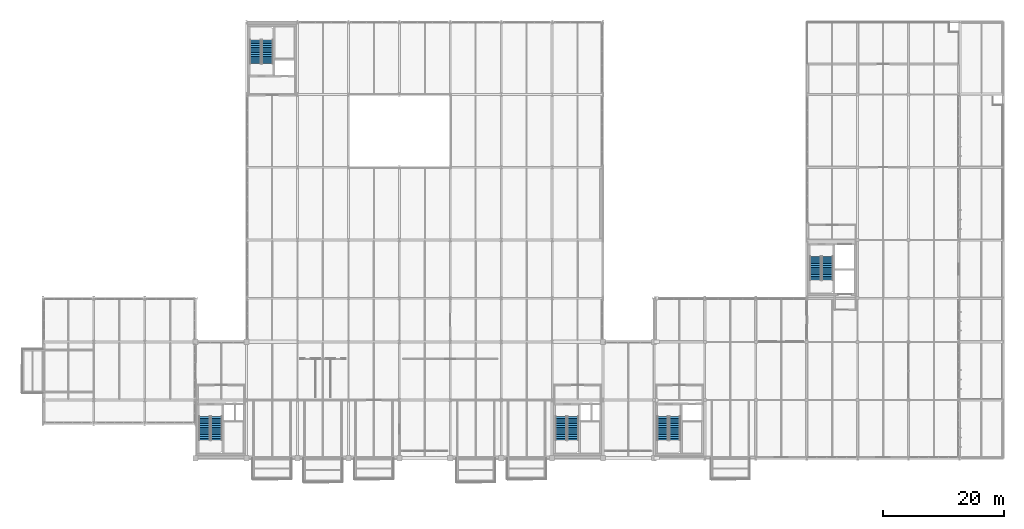
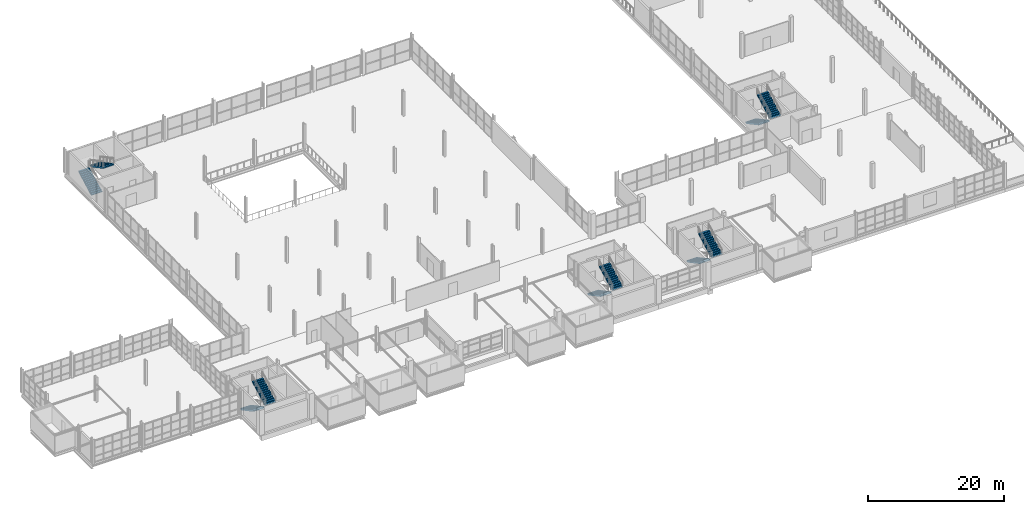
# One storey, part 101 of 109: 10 stair flights, 5 elements without a shape of their own.
"""IFC4 building model written with IfcOpenShell, lengths in metres."""

from ifc_helpers import new_model, si_unit, direction, frame, origin, place, context, subcontext, project, spatial, polyline, outline, extrude, material, type_object, element, aggregate, save


model = new_model("IFC4")

# Units and contexts
model_context = context("Model", 3, precision=1e-05, world=origin(), true_north=direction((0.0, 1.0)))
body_context = subcontext(model_context, "Body", "Model", "MODEL_VIEW")
ifc_project = project(units=[si_unit("LENGTHUNIT", "METRE"), si_unit("AREAUNIT", "SQUARE_METRE"), si_unit("VOLUMEUNIT", "CUBIC_METRE"), si_unit("PLANEANGLEUNIT", "RADIAN"), si_unit("MASSUNIT", "GRAM", prefix="KILO")], contexts=[model_context])

# Site, building, storey
site_placement = place(None, origin())
site = spatial("IfcSite", under=ifc_project, at=site_placement, CompositionType="ELEMENT")
building_placement = place(site_placement, origin())
building = spatial("IfcBuilding", under=site, at=building_placement, Name="Veltarok Museum of Natural Sciences", CompositionType="ELEMENT")
storey_placement = place(building_placement, frame((0.0, 0.0, 17.39990234375)))
storey = spatial("IfcBuildingStorey", under=building, at=storey_placement, Name="L03", CompositionType="ELEMENT", Elevation=17.39990234375)

# Stair, stair flights
ifc_material = material(Name="Precast concrete C40/50", Category="concrete")
stair_type = type_object("IfcStairType", Name="Protected Half-Turn Escape Stair H4500", PredefinedType="HALF_TURN_STAIR", material=ifc_material)
stair_1_placement = place(storey_placement, origin())
stair_1 = element("IfcStair", 1, at=stair_1_placement, inside=storey, type_object=stair_type, Name="Protected Escape Stair ST-01-L03", PredefinedType="HALF_TURN_STAIR")
stair_flight_type = type_object("IfcStairFlightType", Name="Protected Escape Stair Flight W1820", PredefinedType="STRAIGHT", material=ifc_material)
stair_flight_1_placement = place(storey_placement, frame((33.06005859375, 6.89990234375, 0.0), z_axis=(0.0, 0.0, 1.0), x_axis=(0.0, -1.0, 0.0)))
stair_flight_1 = element("IfcStairFlight", 2, at=stair_flight_1_placement, type_object=stair_flight_type, Name="ST-01-L03 flight 1", NumberOfRisers=14, NumberOfTreads=13, PredefinedType="STRAIGHT", RiserHeight=0.160714, TreadLength=0.3, context=body_context, shape_type="SweptSolid", body=[
    extrude(outline(polyline([(0.0, 0.0), (0.0, 0.16064453125), (0.300048828125, 0.16064453125), (0.300048828125, 0.321533203125), (0.60009765625, 0.321533203125), (0.60009765625, 0.482177734375), (0.89990234375, 0.482177734375), (0.89990234375, 0.642822265625), (1.199951171875, 0.642822265625), (1.199951171875, 0.803466796875), (1.5, 0.803466796875), (1.5, 0.96435546875), (1.800048828125, 0.96435546875), (1.800048828125, 1.125), (2.10009765625, 1.125), (2.10009765625, 1.28564453125), (2.39990234375, 1.28564453125), (2.39990234375, 1.446533203125), (2.699951171875, 1.446533203125), (2.699951171875, 1.607177734375), (3.0, 1.607177734375), (3.0, 1.767822265625), (3.300048828125, 1.767822265625), (3.300048828125, 1.928466796875), (3.60009765625, 1.928466796875), (3.60009765625, 2.08935546875), (3.89990234375, 2.08935546875), (3.89990234375, 2.25), (3.89990234375, 1.88525390625), (0.381103515625, 0.0), (0.0, 0.0)])), frame((0.0, 0.91015625, 0.0), z_axis=(0.0, -1.0, 0.0), x_axis=(1.0, 0.0, 0.0)), (0.0, 0.0, 1.0), 1.820068359375),
])
stair_flight_2_placement = place(storey_placement, frame((35.0400390625, 3.0, 2.25), z_axis=(0.0, 0.0, 1.0), x_axis=(0.0, 1.0, 0.0)))
stair_flight_2 = element("IfcStairFlight", 3, at=stair_flight_2_placement, type_object=stair_flight_type, Name="ST-01-L03 flight 2", NumberOfRisers=14, NumberOfTreads=13, PredefinedType="STRAIGHT", RiserHeight=0.160714, TreadLength=0.3, context=body_context, shape_type="SweptSolid", body=[
    extrude(outline(polyline([(0.0, 0.0), (0.0, 0.16064453125), (0.300048828125, 0.16064453125), (0.300048828125, 0.321533203125), (0.60009765625, 0.321533203125), (0.60009765625, 0.482177734375), (0.89990234375, 0.482177734375), (0.89990234375, 0.642822265625), (1.199951171875, 0.642822265625), (1.199951171875, 0.803466796875), (1.5, 0.803466796875), (1.5, 0.96435546875), (1.800048828125, 0.96435546875), (1.800048828125, 1.125), (2.10009765625, 1.125), (2.10009765625, 1.28564453125), (2.39990234375, 1.28564453125), (2.39990234375, 1.446533203125), (2.699951171875, 1.446533203125), (2.699951171875, 1.607177734375), (3.0, 1.607177734375), (3.0, 1.767822265625), (3.300048828125, 1.767822265625), (3.300048828125, 1.928466796875), (3.60009765625, 1.928466796875), (3.60009765625, 2.08935546875), (3.89990234375, 2.08935546875), (3.89990234375, 2.25), (3.89990234375, 1.88525390625), (0.381103515625, 0.0), (0.0, 0.0)])), frame((0.0, 0.91015625, 0.0), z_axis=(0.0, -1.0, 0.0), x_axis=(1.0, 0.0, 0.0)), (0.0, 0.0, 1.0), 1.820068359375),
])
aggregate(stair_1, [stair_flight_1, stair_flight_2])

stair_2_placement = place(storey_placement, origin())
stair_2 = element("IfcStair", 4, at=stair_2_placement, inside=storey, type_object=stair_type, Name="Protected Escape Stair ST-02-L03", PredefinedType="HALF_TURN_STAIR")
stair_flight_3_placement = place(storey_placement, frame((91.860107421875, 6.89990234375, 0.0), z_axis=(0.0, 0.0, 1.0), x_axis=(0.0, -1.0, 0.0)))
stair_flight_3 = element("IfcStairFlight", 5, at=stair_flight_3_placement, type_object=stair_flight_type, Name="ST-02-L03 flight 1", NumberOfRisers=14, NumberOfTreads=13, PredefinedType="STRAIGHT", RiserHeight=0.160714, TreadLength=0.3, context=body_context, shape_type="SweptSolid", body=[
    extrude(outline(polyline([(0.0, 0.0), (0.0, 0.16064453125), (0.300048828125, 0.16064453125), (0.300048828125, 0.321533203125), (0.60009765625, 0.321533203125), (0.60009765625, 0.482177734375), (0.89990234375, 0.482177734375), (0.89990234375, 0.642822265625), (1.199951171875, 0.642822265625), (1.199951171875, 0.803466796875), (1.5, 0.803466796875), (1.5, 0.96435546875), (1.800048828125, 0.96435546875), (1.800048828125, 1.125), (2.10009765625, 1.125), (2.10009765625, 1.28564453125), (2.39990234375, 1.28564453125), (2.39990234375, 1.446533203125), (2.699951171875, 1.446533203125), (2.699951171875, 1.607177734375), (3.0, 1.607177734375), (3.0, 1.767822265625), (3.300048828125, 1.767822265625), (3.300048828125, 1.928466796875), (3.60009765625, 1.928466796875), (3.60009765625, 2.08935546875), (3.89990234375, 2.08935546875), (3.89990234375, 2.25), (3.89990234375, 1.88525390625), (0.381103515625, 0.0), (0.0, 0.0)])), frame((0.0, 0.91015625, 0.0), z_axis=(0.0, -1.0, 0.0), x_axis=(1.0, 0.0, 0.0)), (0.0, 0.0, 1.0), 1.820068359375),
])
stair_flight_4_placement = place(storey_placement, frame((93.840087890625, 3.0, 2.25), z_axis=(0.0, 0.0, 1.0), x_axis=(0.0, 1.0, 0.0)))
stair_flight_4 = element("IfcStairFlight", 6, at=stair_flight_4_placement, type_object=stair_flight_type, Name="ST-02-L03 flight 2", NumberOfRisers=14, NumberOfTreads=13, PredefinedType="STRAIGHT", RiserHeight=0.160714, TreadLength=0.3, context=body_context, shape_type="SweptSolid", body=[
    extrude(outline(polyline([(0.0, 0.0), (0.0, 0.16064453125), (0.300048828125, 0.16064453125), (0.300048828125, 0.321533203125), (0.60009765625, 0.321533203125), (0.60009765625, 0.482177734375), (0.89990234375, 0.482177734375), (0.89990234375, 0.642822265625), (1.199951171875, 0.642822265625), (1.199951171875, 0.803466796875), (1.5, 0.803466796875), (1.5, 0.96435546875), (1.800048828125, 0.96435546875), (1.800048828125, 1.125), (2.10009765625, 1.125), (2.10009765625, 1.28564453125), (2.39990234375, 1.28564453125), (2.39990234375, 1.446533203125), (2.699951171875, 1.446533203125), (2.699951171875, 1.607177734375), (3.0, 1.607177734375), (3.0, 1.767822265625), (3.300048828125, 1.767822265625), (3.300048828125, 1.928466796875), (3.60009765625, 1.928466796875), (3.60009765625, 2.08935546875), (3.89990234375, 2.08935546875), (3.89990234375, 2.25), (3.89990234375, 1.88525390625), (0.381103515625, 0.0), (0.0, 0.0)])), frame((0.0, 0.91015625, 0.0), z_axis=(0.0, -1.0, 0.0), x_axis=(1.0, 0.0, 0.0)), (0.0, 0.0, 1.0), 1.820068359375),
])
aggregate(stair_2, [stair_flight_3, stair_flight_4])

stair_3_placement = place(storey_placement, origin())
stair_3 = element("IfcStair", 7, at=stair_3_placement, inside=storey, type_object=stair_type, Name="Protected Escape Stair ST-03-L03", PredefinedType="HALF_TURN_STAIR")
stair_flight_5_placement = place(storey_placement, frame((41.4599609375, 65.10009765625, 0.0), z_axis=(0.0, 0.0, 1.0), x_axis=(0.0, 1.0, 0.0)))
stair_flight_5 = element("IfcStairFlight", 8, at=stair_flight_5_placement, type_object=stair_flight_type, Name="ST-03-L03 flight 1", NumberOfRisers=14, NumberOfTreads=13, PredefinedType="STRAIGHT", RiserHeight=0.160714, TreadLength=0.3, context=body_context, shape_type="SweptSolid", body=[
    extrude(outline(polyline([(0.0, 0.0), (0.0, 0.16064453125), (0.300048828125, 0.16064453125), (0.300048828125, 0.321533203125), (0.60009765625, 0.321533203125), (0.60009765625, 0.482177734375), (0.89990234375, 0.482177734375), (0.89990234375, 0.642822265625), (1.199951171875, 0.642822265625), (1.199951171875, 0.803466796875), (1.5, 0.803466796875), (1.5, 0.96435546875), (1.800048828125, 0.96435546875), (1.800048828125, 1.125), (2.10009765625, 1.125), (2.10009765625, 1.28564453125), (2.39990234375, 1.28564453125), (2.39990234375, 1.446533203125), (2.699951171875, 1.446533203125), (2.699951171875, 1.607177734375), (3.0, 1.607177734375), (3.0, 1.767822265625), (3.300048828125, 1.767822265625), (3.300048828125, 1.928466796875), (3.60009765625, 1.928466796875), (3.60009765625, 2.08935546875), (3.89990234375, 2.08935546875), (3.89990234375, 2.25), (3.89990234375, 1.88525390625), (0.381103515625, 0.0), (0.0, 0.0)])), frame((0.0, 0.91015625, 0.0), z_axis=(0.0, -1.0, 0.0), x_axis=(1.0, 0.0, 0.0)), (0.0, 0.0, 1.0), 1.820068359375),
])
stair_flight_6_placement = place(storey_placement, frame((43.43994140625, 69.0, 2.25), z_axis=(0.0, 0.0, 1.0), x_axis=(0.0, -1.0, 0.0)))
stair_flight_6 = element("IfcStairFlight", 9, at=stair_flight_6_placement, type_object=stair_flight_type, Name="ST-03-L03 flight 2", NumberOfRisers=14, NumberOfTreads=13, PredefinedType="STRAIGHT", RiserHeight=0.160714, TreadLength=0.3, context=body_context, shape_type="SweptSolid", body=[
    extrude(outline(polyline([(0.0, 0.0), (0.0, 0.16064453125), (0.300048828125, 0.16064453125), (0.300048828125, 0.321533203125), (0.60009765625, 0.321533203125), (0.60009765625, 0.482177734375), (0.89990234375, 0.482177734375), (0.89990234375, 0.642822265625), (1.199951171875, 0.642822265625), (1.199951171875, 0.803466796875), (1.5, 0.803466796875), (1.5, 0.96435546875), (1.800048828125, 0.96435546875), (1.800048828125, 1.125), (2.10009765625, 1.125), (2.10009765625, 1.28564453125), (2.39990234375, 1.28564453125), (2.39990234375, 1.446533203125), (2.699951171875, 1.446533203125), (2.699951171875, 1.607177734375), (3.0, 1.607177734375), (3.0, 1.767822265625), (3.300048828125, 1.767822265625), (3.300048828125, 1.928466796875), (3.60009765625, 1.928466796875), (3.60009765625, 2.08935546875), (3.89990234375, 2.08935546875), (3.89990234375, 2.25), (3.89990234375, 1.88525390625), (0.381103515625, 0.0), (0.0, 0.0)])), frame((0.0, 0.91015625, 0.0), z_axis=(0.0, -1.0, 0.0), x_axis=(1.0, 0.0, 0.0)), (0.0, 0.0, 1.0), 1.820068359375),
])
aggregate(stair_3, [stair_flight_5, stair_flight_6])

stair_4_placement = place(storey_placement, origin())
stair_4 = element("IfcStair", 10, at=stair_4_placement, inside=storey, type_object=stair_type, Name="Protected Escape Stair ST-04-L03", PredefinedType="HALF_TURN_STAIR")
stair_flight_7_placement = place(storey_placement, frame((108.659912109375, 6.89990234375, 0.0), z_axis=(0.0, 0.0, 1.0), x_axis=(0.0, -1.0, 0.0)))
stair_flight_7 = element("IfcStairFlight", 11, at=stair_flight_7_placement, type_object=stair_flight_type, Name="ST-04-L03 flight 1", NumberOfRisers=14, NumberOfTreads=13, PredefinedType="STRAIGHT", RiserHeight=0.160714, TreadLength=0.3, context=body_context, shape_type="SweptSolid", body=[
    extrude(outline(polyline([(0.0, 0.0), (0.0, 0.16064453125), (0.300048828125, 0.16064453125), (0.300048828125, 0.321533203125), (0.60009765625, 0.321533203125), (0.60009765625, 0.482177734375), (0.89990234375, 0.482177734375), (0.89990234375, 0.642822265625), (1.199951171875, 0.642822265625), (1.199951171875, 0.803466796875), (1.5, 0.803466796875), (1.5, 0.96435546875), (1.800048828125, 0.96435546875), (1.800048828125, 1.125), (2.10009765625, 1.125), (2.10009765625, 1.28564453125), (2.39990234375, 1.28564453125), (2.39990234375, 1.446533203125), (2.699951171875, 1.446533203125), (2.699951171875, 1.607177734375), (3.0, 1.607177734375), (3.0, 1.767822265625), (3.300048828125, 1.767822265625), (3.300048828125, 1.928466796875), (3.60009765625, 1.928466796875), (3.60009765625, 2.08935546875), (3.89990234375, 2.08935546875), (3.89990234375, 2.25), (3.89990234375, 1.88525390625), (0.381103515625, 0.0), (0.0, 0.0)])), frame((0.0, 0.91015625, 0.0), z_axis=(0.0, -1.0, 0.0), x_axis=(1.0, 0.0, 0.0)), (0.0, 0.0, 1.0), 1.820068359375),
])
stair_flight_8_placement = place(storey_placement, frame((110.639892578125, 3.0, 2.25), z_axis=(0.0, 0.0, 1.0), x_axis=(0.0, 1.0, 0.0)))
stair_flight_8 = element("IfcStairFlight", 12, at=stair_flight_8_placement, type_object=stair_flight_type, Name="ST-04-L03 flight 2", NumberOfRisers=14, NumberOfTreads=13, PredefinedType="STRAIGHT", RiserHeight=0.160714, TreadLength=0.3, context=body_context, shape_type="SweptSolid", body=[
    extrude(outline(polyline([(0.0, 0.0), (0.0, 0.16064453125), (0.300048828125, 0.16064453125), (0.300048828125, 0.321533203125), (0.60009765625, 0.321533203125), (0.60009765625, 0.482177734375), (0.89990234375, 0.482177734375), (0.89990234375, 0.642822265625), (1.199951171875, 0.642822265625), (1.199951171875, 0.803466796875), (1.5, 0.803466796875), (1.5, 0.96435546875), (1.800048828125, 0.96435546875), (1.800048828125, 1.125), (2.10009765625, 1.125), (2.10009765625, 1.28564453125), (2.39990234375, 1.28564453125), (2.39990234375, 1.446533203125), (2.699951171875, 1.446533203125), (2.699951171875, 1.607177734375), (3.0, 1.607177734375), (3.0, 1.767822265625), (3.300048828125, 1.767822265625), (3.300048828125, 1.928466796875), (3.60009765625, 1.928466796875), (3.60009765625, 2.08935546875), (3.89990234375, 2.08935546875), (3.89990234375, 2.25), (3.89990234375, 1.88525390625), (0.381103515625, 0.0), (0.0, 0.0)])), frame((0.0, 0.91015625, 0.0), z_axis=(0.0, -1.0, 0.0), x_axis=(1.0, 0.0, 0.0)), (0.0, 0.0, 1.0), 1.820068359375),
])
aggregate(stair_4, [stair_flight_7, stair_flight_8])

stair_5_placement = place(storey_placement, origin())
stair_5 = element("IfcStair", 13, at=stair_5_placement, inside=storey, type_object=stair_type, Name="Protected Escape Stair ST-05-L03", PredefinedType="HALF_TURN_STAIR")
stair_flight_9_placement = place(storey_placement, frame((133.860107421875, 33.300048828125, 0.0), z_axis=(0.0, 0.0, 1.0), x_axis=(0.0, -1.0, 0.0)))
stair_flight_9 = element("IfcStairFlight", 14, at=stair_flight_9_placement, type_object=stair_flight_type, Name="ST-05-L03 flight 1", NumberOfRisers=14, NumberOfTreads=13, PredefinedType="STRAIGHT", RiserHeight=0.160714, TreadLength=0.3, context=body_context, shape_type="SweptSolid", body=[
    extrude(outline(polyline([(0.0, 0.0), (0.0, 0.16064453125), (0.300048828125, 0.16064453125), (0.300048828125, 0.321533203125), (0.60009765625, 0.321533203125), (0.60009765625, 0.482177734375), (0.89990234375, 0.482177734375), (0.89990234375, 0.642822265625), (1.199951171875, 0.642822265625), (1.199951171875, 0.803466796875), (1.5, 0.803466796875), (1.5, 0.96435546875), (1.800048828125, 0.96435546875), (1.800048828125, 1.125), (2.10009765625, 1.125), (2.10009765625, 1.28564453125), (2.39990234375, 1.28564453125), (2.39990234375, 1.446533203125), (2.699951171875, 1.446533203125), (2.699951171875, 1.607177734375), (3.0, 1.607177734375), (3.0, 1.767822265625), (3.300048828125, 1.767822265625), (3.300048828125, 1.928466796875), (3.60009765625, 1.928466796875), (3.60009765625, 2.08935546875), (3.89990234375, 2.08935546875), (3.89990234375, 2.25), (3.89990234375, 1.88525390625), (0.381103515625, 0.0), (0.0, 0.0)])), frame((0.0, 0.91015625, 0.0), z_axis=(0.0, -1.0, 0.0), x_axis=(1.0, 0.0, 0.0)), (0.0, 0.0, 1.0), 1.820068359375),
])
stair_flight_10_placement = place(storey_placement, frame((135.840087890625, 29.39990234375, 2.25), z_axis=(0.0, 0.0, 1.0), x_axis=(0.0, 1.0, 0.0)))
stair_flight_10 = element("IfcStairFlight", 15, at=stair_flight_10_placement, type_object=stair_flight_type, Name="ST-05-L03 flight 2", NumberOfRisers=14, NumberOfTreads=13, PredefinedType="STRAIGHT", RiserHeight=0.160714, TreadLength=0.3, context=body_context, shape_type="SweptSolid", body=[
    extrude(outline(polyline([(0.0, 0.0), (0.0, 0.16064453125), (0.300048828125, 0.16064453125), (0.300048828125, 0.321533203125), (0.60009765625, 0.321533203125), (0.60009765625, 0.482177734375), (0.89990234375, 0.482177734375), (0.89990234375, 0.642822265625), (1.199951171875, 0.642822265625), (1.199951171875, 0.803466796875), (1.5, 0.803466796875), (1.5, 0.96435546875), (1.800048828125, 0.96435546875), (1.800048828125, 1.125), (2.10009765625, 1.125), (2.10009765625, 1.28564453125), (2.39990234375, 1.28564453125), (2.39990234375, 1.446533203125), (2.699951171875, 1.446533203125), (2.699951171875, 1.607177734375), (3.0, 1.607177734375), (3.0, 1.767822265625), (3.300048828125, 1.767822265625), (3.300048828125, 1.928466796875), (3.60009765625, 1.928466796875), (3.60009765625, 2.08935546875), (3.89990234375, 2.08935546875), (3.89990234375, 2.25), (3.89990234375, 1.88525390625), (0.381103515625, 0.0), (0.0, 0.0)])), frame((0.0, 0.91015625, 0.0), z_axis=(0.0, -1.0, 0.0), x_axis=(1.0, 0.0, 0.0)), (0.0, 0.0, 1.0), 1.820068359375),
])
aggregate(stair_5, [stair_flight_9, stair_flight_10])

save(model, "model.ifc")
